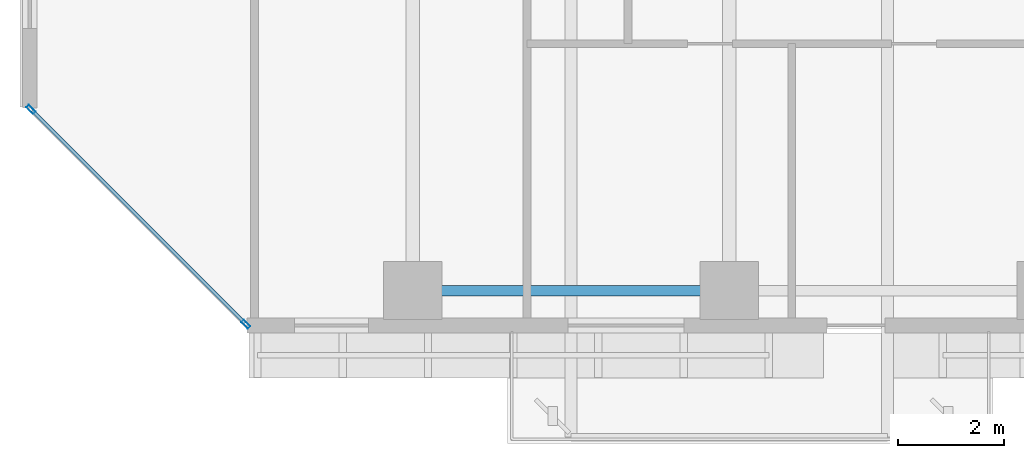
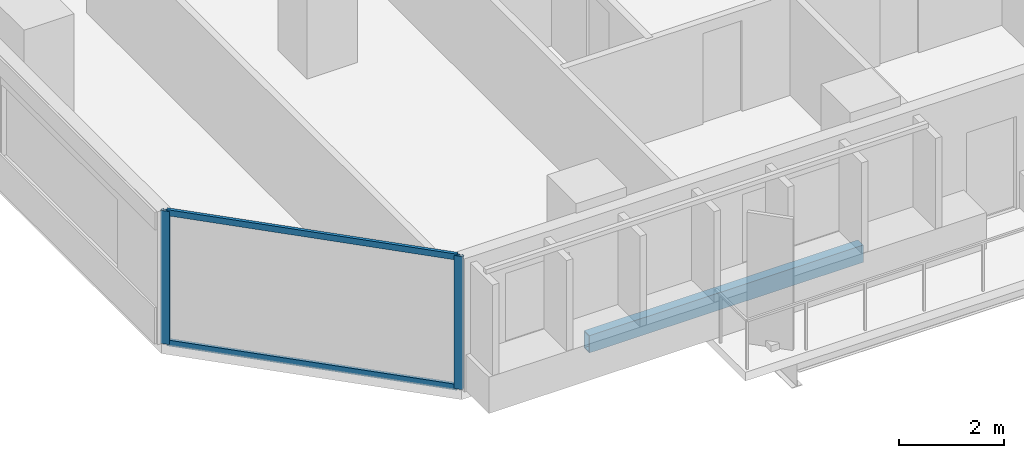
# One storey, part 2 of 34: 4 members, 1 beam, 1 element without a shape of its own.
"""IFC4 building model written with IfcOpenShell, lengths in metres."""

from ifc_helpers import new_model, si_unit, direction, frame, origin, origin_2d, place, context, subcontext, project, spatial, hollow_rectangle, extrude, material, layer, layer_set, material_profile, profile_set, type_object, element, aggregate, save


model = new_model("IFC4")

# Units and contexts
model_context = context("Model", 3, precision=1e-05, world=origin(), true_north=direction((0.0, 1.0)))
body_context = subcontext(model_context, "Body", "Model", "MODEL_VIEW")
ifc_project = project(units=[si_unit("LENGTHUNIT", "METRE"), si_unit("AREAUNIT", "SQUARE_METRE"), si_unit("VOLUMEUNIT", "CUBIC_METRE"), si_unit("PLANEANGLEUNIT", "RADIAN"), si_unit("MASSUNIT", "GRAM", prefix="KILO")], contexts=[model_context])

# Site, building, storey
site_placement = place(None, origin())
site = spatial("IfcSite", under=ifc_project, at=site_placement, CompositionType="ELEMENT")
building_placement = place(site_placement, origin())
building = spatial("IfcBuilding", under=site, at=building_placement, Name="Tanjung Sevakor Pilgrim Tower", CompositionType="ELEMENT")
storey_placement = place(building_placement, frame((0.0, 0.0, 55.43994140625)))
storey = spatial("IfcBuildingStorey", under=building, at=storey_placement, Name="L15", CompositionType="ELEMENT", Elevation=55.43994140625)

# Beam
ifc_material_1 = material(Name="Steel S355J2", Category="steel")
ifc_material_profile_1 = material_profile(ifc_material_1, hollow_rectangle(XDim=0.199951171875, YDim=0.39990234375, WallThickness=0.01611328125, at=origin_2d()))
ifc_profile_set_1 = profile_set([ifc_material_profile_1], Name="Steel S355J2")
beam_type = type_object("IfcBeamType", Name="BM-B-SP2-RHS_400x200x16", PredefinedType="SPANDREL", material=ifc_profile_set_1)
beam_placement = place(storey_placement, frame((24.0, 8.39990234375, -0.419921875), z_axis=(1.0, 0.0, 0.0), x_axis=(0.0, 1.0, 0.0)))
element("IfcBeam", 1, at=beam_placement, inside=storey, type_object=beam_type, Name="L15 Spandrel MAIN S-01", PredefinedType="SPANDREL", context=body_context, shape_type="SweptSolid", body=[
    extrude(hollow_rectangle(XDim=0.199951171875, YDim=0.39990234375, WallThickness=0.01611328125, at=origin_2d()), origin(), (0.0, 0.0, 1.0), 6.0),
])

# Curtain wall, members
ifc_material_2 = material(Name="Aluminium 6063-T6 and Low-E Glass", Category="aluminium")
ifc_layer = layer(ifc_material_2, 0.179931640625)
ifc_layer_set = layer_set([ifc_layer], Name="CW-SYS-CHAM")
curtain_wall_type = type_object("IfcCurtainWallType", Name="CW-SYS-CHAM", PredefinedType="NOTDEFINED", material=ifc_layer_set)
curtain_wall_placement = place(storey_placement, origin())
curtain_wall = element("IfcCurtainWall", 2, at=curtain_wall_placement, inside=storey, type_object=curtain_wall_type, Name="L15 Curtain Wall CW-CHM-L15-MAIN-15", PredefinedType="NOTDEFINED")
ifc_material_3 = material(Name="Aluminium 6063-T6", Category="aluminium")
ifc_material_profile_2 = material_profile(ifc_material_3, hollow_rectangle(XDim=0.06494140625, YDim=0.179931640625, WallThickness=0.00390625, at=origin_2d()))
ifc_profile_set_2 = profile_set([ifc_material_profile_2], Name="Aluminium 6063-T6")
member_type_1 = type_object("IfcMemberType", Name="TYPE-CWM-1", PredefinedType="MULLION", material=ifc_profile_set_2)
member_1_placement = place(storey_placement, frame((16.762939453125, 11.8349609375, 0.0), z_axis=(0.0, 0.0, 1.0), x_axis=(0.707106781187, 0.707106781187, 0.0)))
member_1 = element("IfcMember", 3, at=member_1_placement, type_object=member_type_1, Name="CW-CHM mullion 1", PredefinedType="MULLION", context=body_context, shape_type="SweptSolid", body=[
    extrude(hollow_rectangle(XDim=0.06494140625, YDim=0.179931640625, WallThickness=0.00390625, at=origin_2d()), origin(), (0.0, 0.0, 1.0), 3.080078125),
])
member_2_placement = place(storey_placement, frame((20.8349609375, 7.762939453125, 0.0), z_axis=(0.0, 0.0, 1.0), x_axis=(0.707106781187, 0.707106781187, 0.0)))
member_2 = element("IfcMember", 4, at=member_2_placement, type_object=member_type_1, Name="CW-CHM mullion 2", PredefinedType="MULLION", context=body_context, shape_type="SweptSolid", body=[
    extrude(hollow_rectangle(XDim=0.06494140625, YDim=0.179931640625, WallThickness=0.00390625, at=origin_2d()), origin(), (0.0, 0.0, 1.0), 3.080078125),
])
ifc_material_4 = material(Name="Aluminium 6063-T6", Category="aluminium")
ifc_material_profile_3 = material_profile(ifc_material_4, hollow_rectangle(XDim=0.06494140625, YDim=0.139892578125, WallThickness=0.00390625, at=origin_2d()))
ifc_profile_set_3 = profile_set([ifc_material_profile_3], Name="Aluminium 6063-T6")
member_type_2 = type_object("IfcMemberType", Name="TYPE-CWT-1", PredefinedType="USERDEFINED", material=ifc_profile_set_3)
member_3_placement = place(storey_placement, frame((16.785888671875, 11.81201171875, 0.032470703125), z_axis=(0.707106781187, -0.707106781187, 0.0), x_axis=(0.707106781187, 0.707106781187, 0.0)))
member_3 = element("IfcMember", 5, at=member_3_placement, type_object=member_type_2, Name="CW-CHM transom 1.1", ObjectType="TRANSOM", PredefinedType="USERDEFINED", context=body_context, shape_type="SweptSolid", body=[
    extrude(hollow_rectangle(XDim=0.06494140625, YDim=0.139892578125, WallThickness=0.00390625, at=origin_2d()), origin(), (0.0, 0.0, 1.0), 5.69384765625),
])
member_4_placement = place(storey_placement, frame((16.785888671875, 11.81201171875, 3.047607421875), z_axis=(0.707106781187, -0.707106781187, 0.0), x_axis=(0.707106781187, 0.707106781187, 0.0)))
member_4 = element("IfcMember", 6, at=member_4_placement, type_object=member_type_2, Name="CW-CHM transom 1.2", ObjectType="TRANSOM", PredefinedType="USERDEFINED", context=body_context, shape_type="SweptSolid", body=[
    extrude(hollow_rectangle(XDim=0.06494140625, YDim=0.139892578125, WallThickness=0.00390625, at=origin_2d()), origin(), (0.0, 0.0, 1.0), 5.69384765625),
])
aggregate(curtain_wall, [member_1, member_2, member_3, member_4])

save(model, "model.ifc")
